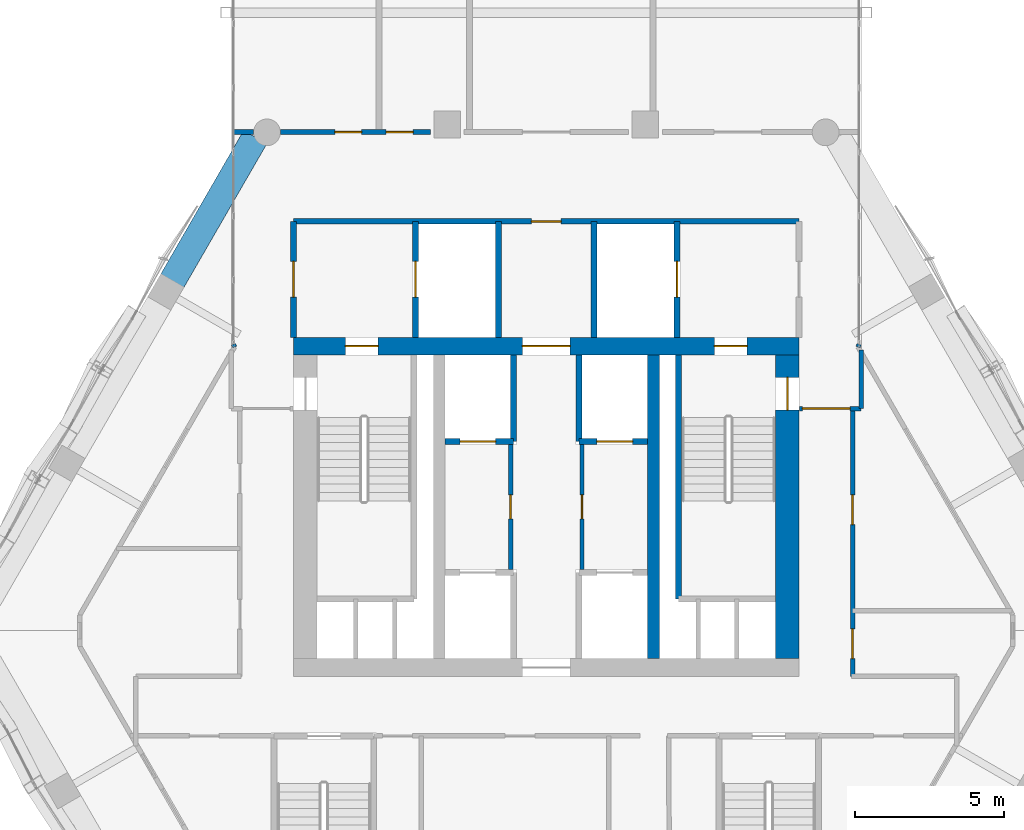
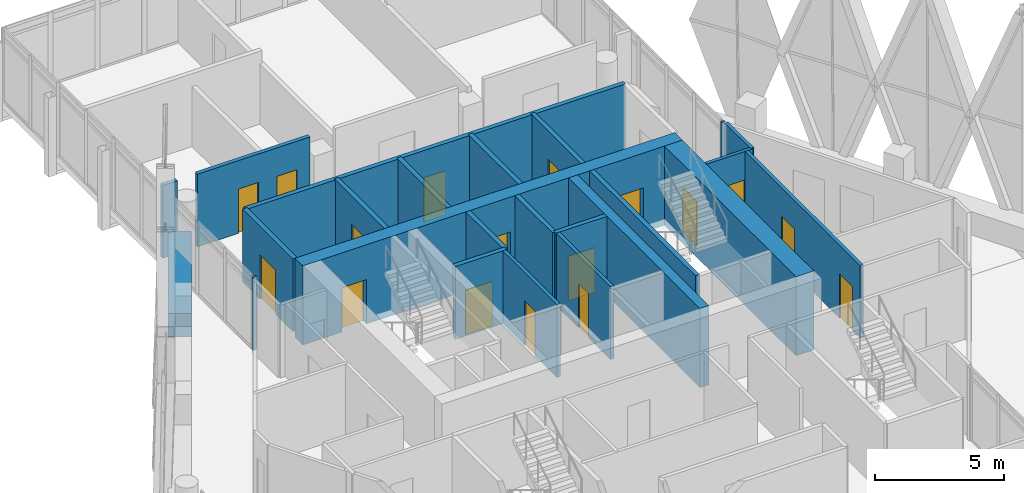
# One storey, part 31 of 37: 24 walls, 17 doors, 17 openings.
"""IFC4 building model written with IfcOpenShell, lengths in metres."""

from ifc_helpers import new_model, si_unit, direction, frame, frame_2d, origin, place, context, subcontext, project, spatial, rectangle, extrude, material, layer, layer_set, type_object, element, fill, save


model = new_model("IFC4")

# Units and contexts
model_context = context("Model", 3, precision=1e-05, world=origin(), true_north=direction((0.0, 1.0)))
body_context = subcontext(model_context, "Body", "Model", "MODEL_VIEW")
ifc_project = project(units=[si_unit("LENGTHUNIT", "METRE"), si_unit("AREAUNIT", "SQUARE_METRE"), si_unit("VOLUMEUNIT", "CUBIC_METRE"), si_unit("PLANEANGLEUNIT", "RADIAN"), si_unit("MASSUNIT", "GRAM", prefix="KILO")], contexts=[model_context])

# Site, building, storey
site_placement = place(None, origin())
site = spatial("IfcSite", under=ifc_project, at=site_placement, CompositionType="ELEMENT")
building_placement = place(site_placement, origin())
building = spatial("IfcBuilding", under=site, at=building_placement, Name="Ostrander Bayou Hotel Tower", CompositionType="ELEMENT")
storey_placement = place(building_placement, frame((0.0, 0.0, 225.75)))
storey = spatial("IfcBuildingStorey", under=building, at=storey_placement, Name="L56", CompositionType="ELEMENT", Elevation=225.75)

# Wall, openings, doors
ifc_material_1 = material(Name="Concrete f'c 60 MPa", Category="concrete")
ifc_layer_1 = layer(ifc_material_1, 0.60009765625)
ifc_layer_set_1 = layer_set([ifc_layer_1], Name="CW10 core wall 600 mm f'c 60 MPa")
wall_type_1 = type_object("IfcWallType", Name="CW10 core wall 600 mm f'c 60 MPa", PredefinedType="SHEAR", material=ifc_layer_set_1)
wall_1_placement = place(storey_placement, frame((-8.5, 9.39990234375, -0.300048828125), z_axis=(0.0, 0.0, 1.0), x_axis=(1.0, 0.0, 0.0)))
wall_1 = element("IfcWall", 1, at=wall_1_placement, inside=storey, type_object=wall_type_1, Name="CW10 L56 N", PredefinedType="SHEAR", context=body_context, shape_type="SweptSolid", body=[
    extrude(rectangle(XDim=17.0, YDim=0.60009765625, at=frame_2d((8.5, 0.0))), origin(), (0.0, 0.0, 1.0), 3.75),
])
opening_1_placement = place(wall_1_placement, frame((7.699951171875, 0.0, 0.0)))
opening_1 = element("IfcOpeningElement", 2, at=opening_1_placement, cuts=wall_1, Name="Opening T55-006", PredefinedType="OPENING", context=body_context, shape_type="SweptSolid", body=[
    extrude(rectangle(XDim=1.60009765625, YDim=2.10009765625, at=frame_2d((0.800048828125, 1.050048828125))), frame((0.0, 0.300048828125, 0.0), z_axis=(0.0, -1.0, 0.0), x_axis=(1.0, 0.0, 0.0)), (0.0, 0.0, 1.0), 0.60009765625),
])
opening_2_placement = place(wall_1_placement, frame((1.75, 0.0, 0.0)))
opening_2 = element("IfcOpeningElement", 3, at=opening_2_placement, cuts=wall_1, Name="Opening T55-007", PredefinedType="OPENING", context=body_context, shape_type="SweptSolid", body=[
    extrude(rectangle(XDim=1.10009765625, YDim=2.10009765625, at=frame_2d((0.550048828125, 1.050048828125))), frame((0.0, 0.300048828125, 0.0), z_axis=(0.0, -1.0, 0.0), x_axis=(1.0, 0.0, 0.0)), (0.0, 0.0, 1.0), 0.60009765625),
])
opening_3_placement = place(wall_1_placement, frame((14.14990234375, 0.0, 0.0)))
opening_3 = element("IfcOpeningElement", 4, at=opening_3_placement, cuts=wall_1, Name="Opening T55-009", PredefinedType="OPENING", context=body_context, shape_type="SweptSolid", body=[
    extrude(rectangle(XDim=1.10009765625, YDim=2.10009765625, at=frame_2d((0.550048828125, 1.050048828125))), frame((0.0, 0.300048828125, 0.0), z_axis=(0.0, -1.0, 0.0), x_axis=(1.0, 0.0, 0.0)), (0.0, 0.0, 1.0), 0.60009765625),
])
ifc_material_2 = material(Name="Timber door leaf", Category="wood")
door_type_1 = type_object("IfcDoorType", Name="D13 double door 1600 x 2100 mm, 1 hour", OperationType="SINGLE_SWING_LEFT", PredefinedType="DOOR", material=ifc_material_2)
door_1_placement = place(opening_1_placement, origin())
door_1 = element("IfcDoor", 5, at=door_1_placement, inside=storey, type_object=door_type_1, Name="dr:L56:006", OperationType="DOUBLE_DOOR_SINGLE_SWING", OverallHeight=2.10009765625, OverallWidth=1.60009765625, PredefinedType="DOOR", context=body_context, shape_type="SweptSolid", body=[
    extrude(rectangle(XDim=1.60009765625, YDim=2.10009765625, at=frame_2d((0.800048828125, 1.050048828125))), frame((0.0, 0.02490234375, 0.0), z_axis=(0.0, -1.0, 0.0), x_axis=(1.0, 0.0, 0.0)), (0.0, 0.0, 1.0), 0.050048828125),
])
fill(opening_1, door_1)
ifc_material_3 = material(Name="Timber door leaf", Category="wood")
door_type_2 = type_object("IfcDoorType", Name="D5 stair door 1100 x 2100 mm, 90 minute", OperationType="SINGLE_SWING_LEFT", PredefinedType="DOOR", material=ifc_material_3)
door_2_placement = place(opening_2_placement, origin())
door_2 = element("IfcDoor", 6, at=door_2_placement, inside=storey, type_object=door_type_2, Name="dr:L56:007", OperationType="SINGLE_SWING_LEFT", OverallHeight=2.10009765625, OverallWidth=1.10009765625, PredefinedType="DOOR", context=body_context, shape_type="SweptSolid", body=[
    extrude(rectangle(XDim=1.10009765625, YDim=2.10009765625, at=frame_2d((0.550048828125, 1.050048828125))), frame((0.0, 0.02490234375, 0.0), z_axis=(0.0, -1.0, 0.0), x_axis=(1.0, 0.0, 0.0)), (0.0, 0.0, 1.0), 0.050048828125),
])
fill(opening_2, door_2)
door_3_placement = place(opening_3_placement, origin())
door_3 = element("IfcDoor", 7, at=door_3_placement, inside=storey, type_object=door_type_2, Name="dr:L56:009", OperationType="SINGLE_SWING_RIGHT", OverallHeight=2.10009765625, OverallWidth=1.10009765625, PredefinedType="DOOR", context=body_context, shape_type="SweptSolid", body=[
    extrude(rectangle(XDim=1.10009765625, YDim=2.10009765625, at=frame_2d((0.550048828125, 1.050048828125))), frame((0.0, 0.02490234375, 0.0), z_axis=(0.0, -1.0, 0.0), x_axis=(1.0, 0.0, 0.0)), (0.0, 0.0, 1.0), 0.050048828125),
])
fill(opening_3, door_3)

# Wall, opening, door
ifc_material_4 = material(Name="Concrete f'c 60 MPa", Category="concrete")
ifc_layer_2 = layer(ifc_material_4, 0.800048828125)
ifc_layer_set_2 = layer_set([ifc_layer_2], Name="CW11 core spine wall 800 mm f'c 60 MPa")
wall_type_2 = type_object("IfcWallType", Name="CW11 core spine wall 800 mm f'c 60 MPa", PredefinedType="SHEAR", material=ifc_layer_set_2)
wall_2_placement = place(storey_placement, frame((8.10009765625, -1.10009765625, -0.300048828125), z_axis=(0.0, 0.0, 1.0), x_axis=(0.0, 1.0, 0.0)))
wall_2 = element("IfcWall", 8, at=wall_2_placement, inside=storey, type_object=wall_type_2, Name="CW11 L56 E", PredefinedType="SHEAR", context=body_context, shape_type="SweptSolid", body=[
    extrude(rectangle(XDim=10.2001953125, YDim=0.800048828125, at=frame_2d((5.10009765625, 0.0))), origin(), (0.0, 0.0, 1.0), 3.75),
])
opening_4_placement = place(wall_2_placement, frame((8.35009765625, 0.0, 0.0)))
opening_4 = element("IfcOpeningElement", 9, at=opening_4_placement, cuts=wall_2, Name="Opening T55-010", PredefinedType="OPENING", context=body_context, shape_type="SweptSolid", body=[
    extrude(rectangle(XDim=1.10009765625, YDim=2.10009765625, at=frame_2d((0.550048828125, 1.050048828125))), frame((0.0, 0.39990234375, 0.0), z_axis=(0.0, -1.0, 0.0), x_axis=(1.0, 0.0, 0.0)), (0.0, 0.0, 1.0), 0.800048828125),
])
door_4_placement = place(opening_4_placement, origin())
door_4 = element("IfcDoor", 10, at=door_4_placement, inside=storey, type_object=door_type_2, Name="dr:L56:010", OperationType="SINGLE_SWING_LEFT", OverallHeight=2.10009765625, OverallWidth=1.10009765625, PredefinedType="DOOR", context=body_context, shape_type="SweptSolid", body=[
    extrude(rectangle(XDim=1.10009765625, YDim=2.10009765625, at=frame_2d((0.550048828125, 1.050048828125))), frame((0.0, 0.02490234375, 0.0), z_axis=(0.0, -1.0, 0.0), x_axis=(1.0, 0.0, 0.0)), (0.0, 0.0, 1.0), 0.050048828125),
])
fill(opening_4, door_4)

# Walls
ifc_material_5 = material(Name="Concrete f'c 60 MPa", Category="concrete")
ifc_layer_3 = layer(ifc_material_5, 0.39990234375)
ifc_layer_set_3 = layer_set([ifc_layer_3], Name="CW12 core bank wall 400 mm f'c 60 MPa")
wall_type_3 = type_object("IfcWallType", Name="CW12 core bank wall 400 mm f'c 60 MPa", PredefinedType="SHEAR", material=ifc_layer_set_3)
wall_3_placement = place(storey_placement, frame((3.60009765625, -1.10009765625, -0.300048828125), z_axis=(0.0, 0.0, 1.0), x_axis=(0.0, 1.0, 0.0)))
element("IfcWall", 11, at=wall_3_placement, inside=storey, type_object=wall_type_3, Name="CW12 L56 CE", PredefinedType="SHEAR", context=body_context, shape_type="SweptSolid", body=[
    extrude(rectangle(XDim=10.2001953125, YDim=0.39990234375, at=frame_2d((5.10009765625, 0.0))), origin(), (0.0, 0.0, 1.0), 3.75),
])
ifc_material_6 = material(Name="Aluminium framed insulated wall", Category="aluminium")
ifc_layer_4 = layer(ifc_material_6, 0.14990234375)
ifc_layer_set_4 = layer_set([ifc_layer_4], Name="GW1 glass-line wall 150 mm")
wall_type_4 = type_object("IfcWallType", Name="GW1 glass-line wall 150 mm", PredefinedType="SOLIDWALL", material=ifc_layer_set_4)
for number, where, z_axis, x_axis, name in (
    (12, (-10.47900390625, 9.37255859375, 0.0), (0.0, 0.0, 1.0), (-0.337751931921, 0.941235163221, 0.0), "GW1 L56 bar joint 1"),
    (13, (10.47900390625, 9.37255859375, 0.0), (0.0, 0.0, 1.0), (0.337751931921, 0.941235163221, 0.0), "GW1 L56 bar joint 4"),
):
    element("IfcWall", number, at=place(storey_placement, frame(where, z_axis=z_axis, x_axis=x_axis)), inside=storey, type_object=wall_type_4, Name=name, PredefinedType="SOLIDWALL", context=body_context, shape_type="SweptSolid", body=[
        extrude(rectangle(XDim=0.098388671875, YDim=0.14990234375, at=frame_2d((0.04931640625, 0.0))), origin(), (0.0, 0.0, 1.0), 3.449951171875),
    ])
ifc_material_7 = material(Name="Concrete f'c 40 MPa", Category="concrete")
ifc_layer_5 = layer(ifc_material_7, 0.89990234375)
ifc_layer_set_5 = layer_set([ifc_layer_5], Name="PA1 stone-faced parapet 900 mm")
wall_type_5 = type_object("IfcWallType", Name="PA1 stone-faced parapet 900 mm", PredefinedType="PARAPET", material=ifc_layer_set_5)
wall_4_placement = place(storey_placement, frame((-9.782958984375, 16.427978515625, 0.0), z_axis=(0.0, 0.0, 1.0), x_axis=(-0.500007442593, -0.866021106759, 0.0)))
element("IfcWall", 14, at=wall_4_placement, inside=storey, type_object=wall_type_5, Name="PA1 L56 NW-1", PredefinedType="PARAPET", context=body_context, shape_type="SweptSolid", body=[
    extrude(rectangle(XDim=5.58642578125, YDim=0.89990234375, at=frame_2d((2.793212890625, 0.0))), origin(), (0.0, 0.0, 1.0), 1.10009765625),
])
ifc_material_8 = material(Name="Gypsum board partition", Category="finish")
ifc_layer_6 = layer(ifc_material_8, 0.175048828125)
ifc_layer_set_6 = layer_set([ifc_layer_6], Name="PT4 corridor wall 175 mm, 1 hour")
wall_type_6 = type_object("IfcWallType", Name="PT4 corridor wall 175 mm, 1 hour", PredefinedType="PARTITIONING", material=ifc_layer_set_6)
wall_5_placement = place(storey_placement, frame((-10.4931640625, 16.60009765625, 0.0), z_axis=(0.0, 0.0, 1.0), x_axis=(1.0, 0.0, 0.0)))
element("IfcWall", 15, at=wall_5_placement, inside=storey, type_object=wall_type_6, Name="sw:L56:503", PredefinedType="PARTITIONING", context=body_context, shape_type="SweptSolid", body=[
    extrude(rectangle(XDim=0.65576171875, YDim=0.175048828125, at=frame_2d((0.327880859375, 0.0))), origin(), (0.0, 0.0, 1.0), 3.449951171875),
])

# Wall, openings, doors
wall_6_placement = place(storey_placement, frame((-8.939697265625, 16.60009765625, 0.0), z_axis=(0.0, 0.0, 1.0), x_axis=(1.0, 0.0, 0.0)))
wall_6 = element("IfcWall", 16, at=wall_6_placement, inside=storey, type_object=wall_type_6, Name="sw:L56:504", PredefinedType="PARTITIONING", context=body_context, shape_type="SweptSolid", body=[
    extrude(rectangle(XDim=5.040771484375, YDim=0.175048828125, at=frame_2d((2.5205078125, 0.0))), origin(), (0.0, 0.0, 1.0), 3.449951171875),
])
opening_5_placement = place(wall_6_placement, frame((1.83154296875, 0.0, 0.0)))
opening_5 = element("IfcOpeningElement", 17, at=opening_5_placement, cuts=wall_6, Name="Opening T55-1209", PredefinedType="OPENING", context=body_context, shape_type="SweptSolid", body=[
    extrude(rectangle(XDim=0.89990234375, YDim=2.10009765625, at=frame_2d((0.449951171875, 1.050048828125))), frame((0.0, 0.08740234375, 0.0), z_axis=(0.0, -1.0, 0.0), x_axis=(1.0, 0.0, 0.0)), (0.0, 0.0, 1.0), 0.175048828125),
])
opening_6_placement = place(wall_6_placement, frame((3.5595703125, 0.0, 0.0)))
opening_6 = element("IfcOpeningElement", 18, at=opening_6_placement, cuts=wall_6, Name="Opening T55-1210", PredefinedType="OPENING", context=body_context, shape_type="SweptSolid", body=[
    extrude(rectangle(XDim=0.89990234375, YDim=2.10009765625, at=frame_2d((0.449951171875, 1.050048828125))), frame((0.0, 0.08740234375, 0.0), z_axis=(0.0, -1.0, 0.0), x_axis=(1.0, 0.0, 0.0)), (0.0, 0.0, 1.0), 0.175048828125),
])
ifc_material_9 = material(Name="Timber door leaf", Category="wood")
door_type_3 = type_object("IfcDoorType", Name="D8 room door 900 x 2100 mm", OperationType="SINGLE_SWING_LEFT", PredefinedType="DOOR", material=ifc_material_9)
door_5_placement = place(opening_5_placement, origin())
door_5 = element("IfcDoor", 19, at=door_5_placement, inside=storey, type_object=door_type_3, Name="dr:L56:1209", OperationType="SINGLE_SWING_LEFT", OverallHeight=2.10009765625, OverallWidth=0.89990234375, PredefinedType="DOOR", context=body_context, shape_type="SweptSolid", body=[
    extrude(rectangle(XDim=0.89990234375, YDim=2.10009765625, at=frame_2d((0.449951171875, 1.050048828125))), frame((0.0, 0.02490234375, 0.0), z_axis=(0.0, -1.0, 0.0), x_axis=(1.0, 0.0, 0.0)), (0.0, 0.0, 1.0), 0.050048828125),
])
fill(opening_5, door_5)
door_6_placement = place(opening_6_placement, origin())
door_6 = element("IfcDoor", 20, at=door_6_placement, inside=storey, type_object=door_type_3, Name="dr:L56:1210", OperationType="SINGLE_SWING_RIGHT", OverallHeight=2.10009765625, OverallWidth=0.89990234375, PredefinedType="DOOR", context=body_context, shape_type="SweptSolid", body=[
    extrude(rectangle(XDim=0.89990234375, YDim=2.10009765625, at=frame_2d((0.449951171875, 1.050048828125))), frame((0.0, 0.02490234375, 0.0), z_axis=(0.0, -1.0, 0.0), x_axis=(1.0, 0.0, 0.0)), (0.0, 0.0, 1.0), 0.050048828125),
])
fill(opening_6, door_6)

# Wall, opening, door
ifc_material_10 = material(Name="Masonry block", Category="masonry")
ifc_layer_7 = layer(ifc_material_10, 0.199951171875)
ifc_layer_set_7 = layer_set([ifc_layer_7], Name="PT5 stair enclosure wall 200 mm masonry, 2 hour")
wall_type_7 = type_object("IfcWallType", Name="PT5 stair enclosure wall 200 mm masonry, 2 hour", PredefinedType="PARTITIONING", material=ifc_layer_set_7)
wall_7_placement = place(storey_placement, frame((-8.5, 13.60009765625, 0.0), z_axis=(0.0, 0.0, 1.0), x_axis=(1.0, 0.0, 0.0)))
wall_7 = element("IfcWall", 21, at=wall_7_placement, inside=storey, type_object=wall_type_7, Name="cs:L56:025", PredefinedType="PARTITIONING", context=body_context, shape_type="SweptSolid", body=[
    extrude(rectangle(XDim=17.0, YDim=0.199951171875, at=frame_2d((8.5, 0.0))), origin(), (0.0, 0.0, 1.0), 3.449951171875),
])
opening_7_placement = place(wall_7_placement, frame((8.0, 0.0, 0.0)))
opening_7 = element("IfcOpeningElement", 22, at=opening_7_placement, cuts=wall_7, Name="Opening T55-017", PredefinedType="OPENING", context=body_context, shape_type="SweptSolid", body=[
    extrude(rectangle(XDim=1.0, YDim=2.10009765625, at=frame_2d((0.5, 1.050048828125))), frame((0.0, 0.10009765625, 0.0), z_axis=(0.0, -1.0, 0.0), x_axis=(1.0, 0.0, 0.0)), (0.0, 0.0, 1.0), 0.199951171875),
])
ifc_material_11 = material(Name="Timber door leaf", Category="wood")
door_type_4 = type_object("IfcDoorType", Name="D9 service door 1000 x 2100 mm, 30 minute", OperationType="SINGLE_SWING_LEFT", PredefinedType="DOOR", material=ifc_material_11)
door_7_placement = place(opening_7_placement, origin())
door_7 = element("IfcDoor", 23, at=door_7_placement, inside=storey, type_object=door_type_4, Name="dr:L56:017", OperationType="SINGLE_SWING_LEFT", OverallHeight=2.10009765625, OverallWidth=1.0, PredefinedType="DOOR", context=body_context, shape_type="SweptSolid", body=[
    extrude(rectangle(XDim=1.0, YDim=2.10009765625, at=frame_2d((0.5, 1.050048828125))), frame((0.0, 0.02490234375, 0.0), z_axis=(0.0, -1.0, 0.0), x_axis=(1.0, 0.0, 0.0)), (0.0, 0.0, 1.0), 0.050048828125),
])
fill(opening_7, door_7)

wall_8_placement = place(storey_placement, frame((-8.5, 9.699951171875, 0.0), z_axis=(0.0, 0.0, 1.0), x_axis=(0.0, 1.0, 0.0)))
wall_8 = element("IfcWall", 24, at=wall_8_placement, inside=storey, type_object=wall_type_7, Name="cs:L56:026", PredefinedType="PARTITIONING", context=body_context, shape_type="SweptSolid", body=[
    extrude(rectangle(XDim=3.900146484375, YDim=0.199951171875, at=frame_2d((1.9501953125, 0.0))), origin(), (0.0, 0.0, 1.0), 3.449951171875),
])
opening_8_placement = place(wall_8_placement, frame((1.35009765625, 0.0, 0.0)))
opening_8 = element("IfcOpeningElement", 25, at=opening_8_placement, cuts=wall_8, Name="Opening T55-014", PredefinedType="OPENING", context=body_context, shape_type="SweptSolid", body=[
    extrude(rectangle(XDim=1.199951171875, YDim=2.10009765625, at=frame_2d((0.60009765625, 1.050048828125))), frame((0.0, 0.10009765625, 0.0), z_axis=(0.0, -1.0, 0.0), x_axis=(1.0, 0.0, 0.0)), (0.0, 0.0, 1.0), 0.199951171875),
])
ifc_material_12 = material(Name="Timber door leaf", Category="wood")
door_type_5 = type_object("IfcDoorType", Name="D7 lobby door 1200 x 2100 mm, 1 hour", OperationType="SINGLE_SWING_LEFT", PredefinedType="DOOR", material=ifc_material_12)
door_8_placement = place(opening_8_placement, origin())
door_8 = element("IfcDoor", 26, at=door_8_placement, inside=storey, type_object=door_type_5, Name="dr:L56:014", OperationType="SINGLE_SWING_LEFT", OverallHeight=2.10009765625, OverallWidth=1.199951171875, PredefinedType="DOOR", context=body_context, shape_type="SweptSolid", body=[
    extrude(rectangle(XDim=1.199951171875, YDim=2.10009765625, at=frame_2d((0.60009765625, 1.050048828125))), frame((0.0, 0.02490234375, 0.0), z_axis=(0.0, -1.0, 0.0), x_axis=(1.0, 0.0, 0.0)), (0.0, 0.0, 1.0), 0.050048828125),
])
fill(opening_8, door_8)

wall_9_placement = place(storey_placement, frame((-4.39990234375, 9.699951171875, 0.0), z_axis=(0.0, 0.0, 1.0), x_axis=(0.0, 1.0, 0.0)))
wall_9 = element("IfcWall", 27, at=wall_9_placement, inside=storey, type_object=wall_type_7, Name="cs:L56:028", PredefinedType="PARTITIONING", context=body_context, shape_type="SweptSolid", body=[
    extrude(rectangle(XDim=3.900146484375, YDim=0.199951171875, at=frame_2d((1.9501953125, 0.0))), origin(), (0.0, 0.0, 1.0), 3.449951171875),
])
opening_9_placement = place(wall_9_placement, frame((1.35009765625, 0.0, 0.0)))
opening_9 = element("IfcOpeningElement", 28, at=opening_9_placement, cuts=wall_9, Name="Opening T55-013", PredefinedType="OPENING", context=body_context, shape_type="SweptSolid", body=[
    extrude(rectangle(XDim=1.199951171875, YDim=2.10009765625, at=frame_2d((0.60009765625, 1.050048828125))), frame((0.0, 0.10009765625, 0.0), z_axis=(0.0, -1.0, 0.0), x_axis=(1.0, 0.0, 0.0)), (0.0, 0.0, 1.0), 0.199951171875),
])
ifc_material_13 = material(Name="Stainless steel sliding door", Category="steel")
door_type_6 = type_object("IfcDoorType", Name="LD1 lift landing door 1200 x 2100 mm", OperationType="SINGLE_SWING_LEFT", PredefinedType="DOOR", material=ifc_material_13)
door_9_placement = place(opening_9_placement, origin())
door_9 = element("IfcDoor", 29, at=door_9_placement, inside=storey, type_object=door_type_6, Name="dr:L56:013", OperationType="SLIDING_TO_LEFT", OverallHeight=2.10009765625, OverallWidth=1.199951171875, PredefinedType="DOOR", context=body_context, shape_type="SweptSolid", body=[
    extrude(rectangle(XDim=1.199951171875, YDim=2.10009765625, at=frame_2d((0.60009765625, 1.050048828125))), frame((0.0, 0.02490234375, 0.0), z_axis=(0.0, -1.0, 0.0), x_axis=(1.0, 0.0, 0.0)), (0.0, 0.0, 1.0), 0.050048828125),
])
fill(opening_9, door_9)

wall_10_placement = place(storey_placement, frame((4.39990234375, 9.699951171875, 0.0), z_axis=(0.0, 0.0, 1.0), x_axis=(0.0, 1.0, 0.0)))
wall_10 = element("IfcWall", 30, at=wall_10_placement, inside=storey, type_object=wall_type_7, Name="cs:L56:029", PredefinedType="PARTITIONING", context=body_context, shape_type="SweptSolid", body=[
    extrude(rectangle(XDim=3.900146484375, YDim=0.199951171875, at=frame_2d((1.9501953125, 0.0))), origin(), (0.0, 0.0, 1.0), 3.449951171875),
])
opening_10_placement = place(wall_10_placement, frame((1.35009765625, 0.0, 0.0)))
opening_10 = element("IfcOpeningElement", 31, at=opening_10_placement, cuts=wall_10, Name="Opening T55-015", PredefinedType="OPENING", context=body_context, shape_type="SweptSolid", body=[
    extrude(rectangle(XDim=1.199951171875, YDim=2.10009765625, at=frame_2d((0.60009765625, 1.050048828125))), frame((0.0, 0.10009765625, 0.0), z_axis=(0.0, -1.0, 0.0), x_axis=(1.0, 0.0, 0.0)), (0.0, 0.0, 1.0), 0.199951171875),
])
door_10_placement = place(opening_10_placement, origin())
door_10 = element("IfcDoor", 32, at=door_10_placement, inside=storey, type_object=door_type_6, Name="dr:L56:015", OperationType="SLIDING_TO_LEFT", OverallHeight=2.10009765625, OverallWidth=1.199951171875, PredefinedType="DOOR", context=body_context, shape_type="SweptSolid", body=[
    extrude(rectangle(XDim=1.199951171875, YDim=2.10009765625, at=frame_2d((0.60009765625, 1.050048828125))), frame((0.0, 0.02490234375, 0.0), z_axis=(0.0, -1.0, 0.0), x_axis=(1.0, 0.0, 0.0)), (0.0, 0.0, 1.0), 0.050048828125),
])
fill(opening_10, door_10)

ifc_material_14 = material(Name="Masonry block", Category="masonry")
ifc_layer_8 = layer(ifc_material_14, 0.199951171875)
ifc_layer_set_8 = layer_set([ifc_layer_8], Name="PT6 lift shaft wall 200 mm masonry, 2 hour")
wall_type_8 = type_object("IfcWallType", Name="PT6 lift shaft wall 200 mm masonry, 2 hour", PredefinedType="PARTITIONING", material=ifc_layer_set_8)
wall_11_placement = place(storey_placement, frame((-3.39990234375, 6.199951171875, 0.0), z_axis=(0.0, 0.0, 1.0), x_axis=(1.0, 0.0, 0.0)))
wall_11 = element("IfcWall", 33, at=wall_11_placement, inside=storey, type_object=wall_type_8, Name="cs:L56:002", PredefinedType="PARTITIONING", context=body_context, shape_type="SweptSolid", body=[
    extrude(rectangle(XDim=2.2998046875, YDim=0.199951171875, at=frame_2d((1.14990234375, 0.0))), origin(), (0.0, 0.0, 1.0), 3.449951171875),
])
opening_11_placement = place(wall_11_placement, frame((0.5, 0.0, 0.0)))
opening_11 = element("IfcOpeningElement", 34, at=opening_11_placement, cuts=wall_11, Name="Opening T55-003", PredefinedType="OPENING", context=body_context, shape_type="SweptSolid", body=[
    extrude(rectangle(XDim=1.199951171875, YDim=2.10009765625, at=frame_2d((0.60009765625, 1.050048828125))), frame((0.0, 0.10009765625, 0.0), z_axis=(0.0, -1.0, 0.0), x_axis=(1.0, 0.0, 0.0)), (0.0, 0.0, 1.0), 0.199951171875),
])
door_11_placement = place(opening_11_placement, origin())
door_11 = element("IfcDoor", 35, at=door_11_placement, inside=storey, type_object=door_type_6, Name="dr:L56:003", OperationType="SLIDING_TO_LEFT", OverallHeight=2.10009765625, OverallWidth=1.199951171875, PredefinedType="DOOR", context=body_context, shape_type="SweptSolid", body=[
    extrude(rectangle(XDim=1.199951171875, YDim=2.10009765625, at=frame_2d((0.60009765625, 1.050048828125))), frame((0.0, 0.02490234375, 0.0), z_axis=(0.0, -1.0, 0.0), x_axis=(1.0, 0.0, 0.0)), (0.0, 0.0, 1.0), 0.050048828125),
])
fill(opening_11, door_11)

wall_12_placement = place(storey_placement, frame((1.10009765625, 6.199951171875, 0.0), z_axis=(0.0, 0.0, 1.0), x_axis=(1.0, 0.0, 0.0)))
wall_12 = element("IfcWall", 36, at=wall_12_placement, inside=storey, type_object=wall_type_8, Name="cs:L56:004", PredefinedType="PARTITIONING", context=body_context, shape_type="SweptSolid", body=[
    extrude(rectangle(XDim=2.2998046875, YDim=0.199951171875, at=frame_2d((1.14990234375, 0.0))), origin(), (0.0, 0.0, 1.0), 3.449951171875),
])
opening_12_placement = place(wall_12_placement, frame((0.60009765625, 0.0, 0.0)))
opening_12 = element("IfcOpeningElement", 37, at=opening_12_placement, cuts=wall_12, Name="Opening T55-004", PredefinedType="OPENING", context=body_context, shape_type="SweptSolid", body=[
    extrude(rectangle(XDim=1.199951171875, YDim=2.10009765625, at=frame_2d((0.60009765625, 1.050048828125))), frame((0.0, 0.10009765625, 0.0), z_axis=(0.0, -1.0, 0.0), x_axis=(1.0, 0.0, 0.0)), (0.0, 0.0, 1.0), 0.199951171875),
])
door_12_placement = place(opening_12_placement, origin())
door_12 = element("IfcDoor", 38, at=door_12_placement, inside=storey, type_object=door_type_6, Name="dr:L56:004", OperationType="SLIDING_TO_LEFT", OverallHeight=2.10009765625, OverallWidth=1.199951171875, PredefinedType="DOOR", context=body_context, shape_type="SweptSolid", body=[
    extrude(rectangle(XDim=1.199951171875, YDim=2.10009765625, at=frame_2d((0.60009765625, 1.050048828125))), frame((0.0, 0.02490234375, 0.0), z_axis=(0.0, -1.0, 0.0), x_axis=(1.0, 0.0, 0.0)), (0.0, 0.0, 1.0), 0.050048828125),
])
fill(opening_12, door_12)

# Walls
for number, where, z_axis, x_axis, name in (
    (39, (-1.10009765625, 6.199951171875, 0.0), (0.0, 0.0, 1.0), (0.0, 1.0, 0.0), "cs:L56:007"),
    (40, (1.10009765625, 6.199951171875, 0.0), (0.0, 0.0, 1.0), (0.0, 1.0, 0.0), "cs:L56:008"),
):
    element("IfcWall", number, at=place(storey_placement, frame(where, z_axis=z_axis, x_axis=x_axis)), inside=storey, type_object=wall_type_8, Name=name, PredefinedType="PARTITIONING", context=body_context, shape_type="SweptSolid", body=[
        extrude(rectangle(XDim=2.900146484375, YDim=0.199951171875, at=frame_2d((1.4501953125, 0.0))), origin(), (0.0, 0.0, 1.0), 3.449951171875),
    ])
for number, where, z_axis, x_axis, name in (
    (41, (-1.60009765625, 9.699951171875, 0.0), (0.0, 0.0, 1.0), (0.0, 1.0, 0.0), "cs:L56:030"),
    (42, (1.60009765625, 9.699951171875, 0.0), (0.0, 0.0, 1.0), (0.0, 1.0, 0.0), "cs:L56:031"),
):
    element("IfcWall", number, at=place(storey_placement, frame(where, z_axis=z_axis, x_axis=x_axis)), inside=storey, type_object=wall_type_8, Name=name, PredefinedType="PARTITIONING", context=body_context, shape_type="SweptSolid", body=[
        extrude(rectangle(XDim=3.900146484375, YDim=0.199951171875, at=frame_2d((1.9501953125, 0.0))), origin(), (0.0, 0.0, 1.0), 3.449951171875),
    ])

# Wall, opening, door
ifc_material_15 = material(Name="Gypsum board partition", Category="finish")
ifc_layer_9 = layer(ifc_material_15, 0.14990234375)
ifc_layer_set_9 = layer_set([ifc_layer_9], Name="PT7 riser wall 150 mm, 2 hour")
wall_type_9 = type_object("IfcWallType", Name="PT7 riser wall 150 mm, 2 hour", PredefinedType="PARTITIONING", material=ifc_layer_set_9)
wall_13_placement = place(storey_placement, frame((-1.199951171875, 1.89990234375, 0.0), z_axis=(0.0, 0.0, 1.0), x_axis=(0.0, 1.0, 0.0)))
wall_13 = element("IfcWall", 43, at=wall_13_placement, inside=storey, type_object=wall_type_9, Name="cs:L56:032", PredefinedType="PARTITIONING", context=body_context, shape_type="SweptSolid", body=[
    extrude(rectangle(XDim=4.2001953125, YDim=0.14990234375, at=frame_2d((2.10009765625, 0.0))), origin(), (0.0, 0.0, 1.0), 3.449951171875),
])
opening_13_placement = place(wall_13_placement, frame((1.699951171875, 0.0, 0.0)))
opening_13 = element("IfcOpeningElement", 44, at=opening_13_placement, cuts=wall_13, Name="Opening T55-018", PredefinedType="OPENING", context=body_context, shape_type="SweptSolid", body=[
    extrude(rectangle(XDim=0.800048828125, YDim=2.10009765625, at=frame_2d((0.39990234375, 1.050048828125))), frame((0.0, 0.074951171875, 0.0), z_axis=(0.0, -1.0, 0.0), x_axis=(1.0, 0.0, 0.0)), (0.0, 0.0, 1.0), 0.14990234375),
])
ifc_material_16 = material(Name="Timber door leaf", Category="wood")
door_type_7 = type_object("IfcDoorType", Name="D6 riser door 800 x 2100 mm, 90 minute", OperationType="SINGLE_SWING_LEFT", PredefinedType="DOOR", material=ifc_material_16)
door_13_placement = place(opening_13_placement, origin())
door_13 = element("IfcDoor", 45, at=door_13_placement, inside=storey, type_object=door_type_7, Name="dr:L56:018", OperationType="SINGLE_SWING_LEFT", OverallHeight=2.10009765625, OverallWidth=0.800048828125, PredefinedType="DOOR", context=body_context, shape_type="SweptSolid", body=[
    extrude(rectangle(XDim=0.800048828125, YDim=2.10009765625, at=frame_2d((0.39990234375, 1.050048828125))), frame((0.0, 0.02490234375, 0.0), z_axis=(0.0, -1.0, 0.0), x_axis=(1.0, 0.0, 0.0)), (0.0, 0.0, 1.0), 0.050048828125),
])
fill(opening_13, door_13)

wall_14_placement = place(storey_placement, frame((1.199951171875, 1.89990234375, 0.0), z_axis=(0.0, 0.0, 1.0), x_axis=(0.0, 1.0, 0.0)))
wall_14 = element("IfcWall", 46, at=wall_14_placement, inside=storey, type_object=wall_type_9, Name="cs:L56:033", PredefinedType="PARTITIONING", context=body_context, shape_type="SweptSolid", body=[
    extrude(rectangle(XDim=4.2001953125, YDim=0.14990234375, at=frame_2d((2.10009765625, 0.0))), origin(), (0.0, 0.0, 1.0), 3.449951171875),
])
opening_14_placement = place(wall_14_placement, frame((1.699951171875, 0.0, 0.0)))
opening_14 = element("IfcOpeningElement", 47, at=opening_14_placement, cuts=wall_14, Name="Opening T55-019", PredefinedType="OPENING", context=body_context, shape_type="SweptSolid", body=[
    extrude(rectangle(XDim=0.800048828125, YDim=2.10009765625, at=frame_2d((0.39990234375, 1.050048828125))), frame((0.0, 0.074951171875, 0.0), z_axis=(0.0, -1.0, 0.0), x_axis=(1.0, 0.0, 0.0)), (0.0, 0.0, 1.0), 0.14990234375),
])
door_14_placement = place(opening_14_placement, origin())
door_14 = element("IfcDoor", 48, at=door_14_placement, inside=storey, type_object=door_type_7, Name="dr:L56:019", OperationType="SINGLE_SWING_RIGHT", OverallHeight=2.10009765625, OverallWidth=0.800048828125, PredefinedType="DOOR", context=body_context, shape_type="SweptSolid", body=[
    extrude(rectangle(XDim=0.800048828125, YDim=2.10009765625, at=frame_2d((0.39990234375, 1.050048828125))), frame((0.0, 0.02490234375, 0.0), z_axis=(0.0, -1.0, 0.0), x_axis=(1.0, 0.0, 0.0)), (0.0, 0.0, 1.0), 0.050048828125),
])
fill(opening_14, door_14)

ifc_material_17 = material(Name="Gypsum board partition", Category="finish")
ifc_layer_10 = layer(ifc_material_17, 0.14990234375)
ifc_layer_set_10 = layer_set([ifc_layer_10], Name="PT8 service band wall 150 mm, 1 hour")
wall_type_10 = type_object("IfcWallType", Name="PT8 service band wall 150 mm, 1 hour", PredefinedType="PARTITIONING", material=ifc_layer_set_10)
wall_15_placement = place(storey_placement, frame((8.510009765625, 7.300048828125, 0.0), z_axis=(0.0, 0.0, 1.0), x_axis=(1.0, 0.0, 0.0)))
wall_15 = element("IfcWall", 49, at=wall_15_placement, inside=storey, type_object=wall_type_10, Name="gw:L56:013", PredefinedType="PARTITIONING", context=body_context, shape_type="SweptSolid", body=[
    extrude(rectangle(XDim=2.074951171875, YDim=0.14990234375, at=frame_2d((1.03759765625, 0.0))), origin(), (0.0, 0.0, 1.0), 3.449951171875),
])
opening_15_placement = place(wall_15_placement, frame((0.10009765625, 0.0, 0.0)))
opening_15 = element("IfcOpeningElement", 50, at=opening_15_placement, cuts=wall_15, Name="Opening T55-1213", PredefinedType="OPENING", context=body_context, shape_type="SweptSolid", body=[
    extrude(rectangle(XDim=1.60009765625, YDim=2.10009765625, at=frame_2d((0.800048828125, 1.050048828125))), frame((0.0, 0.074951171875, 0.0), z_axis=(0.0, -1.0, 0.0), x_axis=(1.0, 0.0, 0.0)), (0.0, 0.0, 1.0), 0.14990234375),
])
door_15_placement = place(opening_15_placement, origin())
door_15 = element("IfcDoor", 51, at=door_15_placement, inside=storey, type_object=door_type_1, Name="dr:L56:1213", OperationType="DOUBLE_DOOR_SINGLE_SWING", OverallHeight=2.10009765625, OverallWidth=1.60009765625, PredefinedType="DOOR", context=body_context, shape_type="SweptSolid", body=[
    extrude(rectangle(XDim=1.60009765625, YDim=2.10009765625, at=frame_2d((0.800048828125, 1.050048828125))), frame((0.0, 0.02490234375, 0.0), z_axis=(0.0, -1.0, 0.0), x_axis=(1.0, 0.0, 0.0)), (0.0, 0.0, 1.0), 0.050048828125),
])
fill(opening_15, door_15)

# Wall
wall_16_placement = place(storey_placement, frame((10.5849609375, 7.300048828125, 0.0), z_axis=(0.0, 0.0, 1.0), x_axis=(0.0, 1.0, 0.0)))
element("IfcWall", 52, at=wall_16_placement, inside=storey, type_object=wall_type_10, Name="gw:L56:016", PredefinedType="PARTITIONING", context=body_context, shape_type="SweptSolid", body=[
    extrude(rectangle(XDim=1.97900390625, YDim=0.14990234375, at=frame_2d((0.989501953125, 0.0))), origin(), (0.0, 0.0, 1.0), 3.449951171875),
])

# Wall, openings, doors
wall_17_placement = place(storey_placement, frame((10.300048828125, -1.699951171875, 0.0), z_axis=(0.0, 0.0, 1.0), x_axis=(0.0, 1.0, 0.0)))
wall_17 = element("IfcWall", 53, at=wall_17_placement, inside=storey, type_object=wall_type_10, Name="gw:L56:017", PredefinedType="PARTITIONING", context=body_context, shape_type="SweptSolid", body=[
    extrude(rectangle(XDim=9.0, YDim=0.14990234375, at=frame_2d((4.5, 0.0))), origin(), (0.0, 0.0, 1.0), 3.449951171875),
])
opening_16_placement = place(wall_17_placement, frame((0.60009765625, 0.0, 0.0)))
opening_16 = element("IfcOpeningElement", 54, at=opening_16_placement, cuts=wall_17, Name="Opening T55-406", PredefinedType="OPENING", context=body_context, shape_type="SweptSolid", body=[
    extrude(rectangle(XDim=1.0, YDim=2.10009765625, at=frame_2d((0.5, 1.050048828125))), frame((0.0, 0.074951171875, 0.0), z_axis=(0.0, -1.0, 0.0), x_axis=(1.0, 0.0, 0.0)), (0.0, 0.0, 1.0), 0.14990234375),
])
opening_17_placement = place(wall_17_placement, frame((5.10009765625, 0.0, 0.0)))
opening_17 = element("IfcOpeningElement", 55, at=opening_17_placement, cuts=wall_17, Name="Opening T55-407", PredefinedType="OPENING", context=body_context, shape_type="SweptSolid", body=[
    extrude(rectangle(XDim=1.0, YDim=2.10009765625, at=frame_2d((0.5, 1.050048828125))), frame((0.0, 0.074951171875, 0.0), z_axis=(0.0, -1.0, 0.0), x_axis=(1.0, 0.0, 0.0)), (0.0, 0.0, 1.0), 0.14990234375),
])
door_16_placement = place(opening_16_placement, origin())
door_16 = element("IfcDoor", 56, at=door_16_placement, inside=storey, type_object=door_type_4, Name="dr:L56:406", OperationType="SINGLE_SWING_LEFT", OverallHeight=2.10009765625, OverallWidth=1.0, PredefinedType="DOOR", context=body_context, shape_type="SweptSolid", body=[
    extrude(rectangle(XDim=1.0, YDim=2.10009765625, at=frame_2d((0.5, 1.050048828125))), frame((0.0, 0.02490234375, 0.0), z_axis=(0.0, -1.0, 0.0), x_axis=(1.0, 0.0, 0.0)), (0.0, 0.0, 1.0), 0.050048828125),
])
fill(opening_16, door_16)
door_17_placement = place(opening_17_placement, origin())
door_17 = element("IfcDoor", 57, at=door_17_placement, inside=storey, type_object=door_type_4, Name="dr:L56:407", OperationType="SINGLE_SWING_LEFT", OverallHeight=2.10009765625, OverallWidth=1.0, PredefinedType="DOOR", context=body_context, shape_type="SweptSolid", body=[
    extrude(rectangle(XDim=1.0, YDim=2.10009765625, at=frame_2d((0.5, 1.050048828125))), frame((0.0, 0.02490234375, 0.0), z_axis=(0.0, -1.0, 0.0), x_axis=(1.0, 0.0, 0.0)), (0.0, 0.0, 1.0), 0.050048828125),
])
fill(opening_17, door_17)

# Wall
ifc_material_18 = material(Name="Concrete f'c 45 MPa", Category="concrete")
ifc_layer_11 = layer(ifc_material_18, 0.199951171875)
ifc_layer_set_11 = layer_set([ifc_layer_11], Name="SW5 stair enclosure wall 200 mm f'c 45 MPa")
wall_type_11 = type_object("IfcWallType", Name="SW5 stair enclosure wall 200 mm f'c 45 MPa", PredefinedType="SOLIDWALL", material=ifc_layer_set_11)
wall_18_placement = place(storey_placement, frame((4.449951171875, 0.89990234375, -0.300048828125), z_axis=(0.0, 0.0, 1.0), x_axis=(0.0, 1.0, 0.0)))
element("IfcWall", 58, at=wall_18_placement, inside=storey, type_object=wall_type_11, Name="cs:L56:013", PredefinedType="SOLIDWALL", context=body_context, shape_type="SweptSolid", body=[
    extrude(rectangle(XDim=8.2001953125, YDim=0.199951171875, at=frame_2d((4.10009765625, 0.0))), origin(), (0.0, 0.0, 1.0), 3.75),
])

save(model, "model.ifc")
